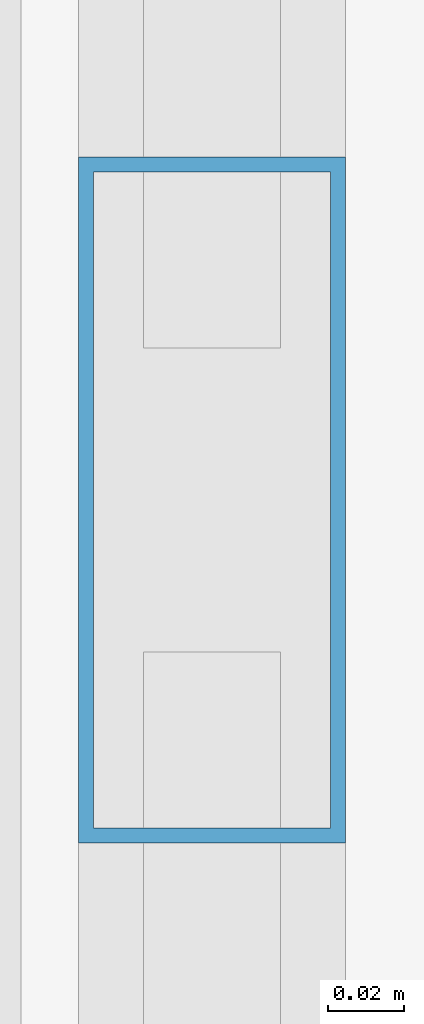
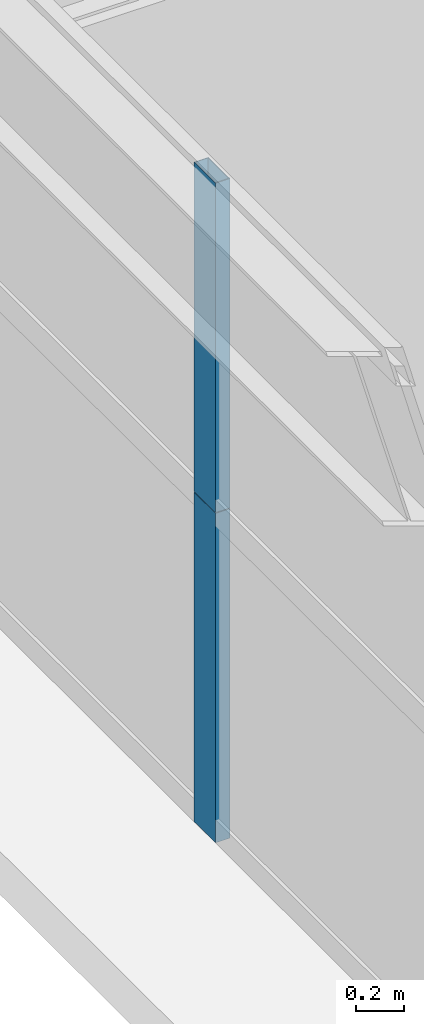
# One storey, part 8 of 39: 2 members, 1 element without a shape of its own.
"""IFC4 building model written with IfcOpenShell, lengths in metres."""

from ifc_helpers import new_model, si_unit, direction, frame, origin, origin_2d, place, context, subcontext, project, spatial, hollow_rectangle, extrude, source, transform, mapped, material, layer, layer_set, material_profile, profile_set, type_object, element, aggregate, save


model = new_model("IFC4")

# Units and contexts
model_context = context("Model", 3, precision=1e-05, world=origin(), true_north=direction((0.0, 1.0)))
body_context = subcontext(model_context, "Body", "Model", "MODEL_VIEW")
ifc_project = project(units=[si_unit("LENGTHUNIT", "METRE"), si_unit("AREAUNIT", "SQUARE_METRE"), si_unit("VOLUMEUNIT", "CUBIC_METRE"), si_unit("PLANEANGLEUNIT", "RADIAN"), si_unit("MASSUNIT", "GRAM", prefix="KILO"), si_unit("THERMODYNAMICTEMPERATUREUNIT", "KELVIN"), si_unit("POWERUNIT", "WATT")], contexts=[model_context])

# Site, building, storey
site_placement = place(None, origin())
site = spatial("IfcSite", under=ifc_project, at=site_placement, CompositionType="ELEMENT")
building_placement = place(site_placement, origin())
building = spatial("IfcBuilding", under=site, at=building_placement, Name="Yuzanri Waterfront Tower", CompositionType="ELEMENT")
storey_placement = place(building_placement, frame((0.0, 0.0, 141.60009765625)))
storey = spatial("IfcBuildingStorey", under=building, at=storey_placement, Name="L37", CompositionType="ELEMENT", Elevation=141.60009765625)

# Curtain wall, members
ifc_material_1 = material(Name="Anodized Architectural Bronze", Category="metal")
ifc_layer = layer(ifc_material_1, 0.159912109375)
ifc_layer_set = layer_set([ifc_layer], Name="Anodized Architectural Bronze")
curtain_wall_type = type_object("IfcCurtainWallType", Name="Anodized Bronze Hotel Upper-Tier Solar-Control Unitized Curtain Wall 7800", PredefinedType="NOTDEFINED", material=ifc_layer_set)
curtain_wall_placement = place(storey_placement, origin())
curtain_wall = element("IfcCurtainWall", 1, at=curtain_wall_placement, inside=storey, type_object=curtain_wall_type, Name="L37 Curtain Wall CW-L37-WL", PredefinedType="NOTDEFINED")
ifc_material_2 = material(Name="Anodized Architectural Bronze", Category="metal")
ifc_material_profile = material_profile(ifc_material_2, hollow_rectangle(XDim=0.070068359375, YDim=0.179931640625, WallThickness=0.00390625, at=origin_2d()), Name="CWM 70x180")
ifc_profile_set = profile_set([ifc_material_profile], Name="Anodized Architectural Bronze")
member_type = type_object("IfcMemberType", Name="Anodized Bronze Standard Curtain-Wall Mullion 70x180", PredefinedType="MULLION", material=ifc_profile_set)
shared_shape = source(origin(), body_context, "Body", "SweptSolid", [
    extrude(hollow_rectangle(XDim=0.070068359375, YDim=0.179931640625, WallThickness=0.00390625, at=origin_2d()), origin(), (0.0, 0.0, 1.0), 1.68798828125),
])
member_1_placement = place(storey_placement, frame((13.550048828125, 17.449951171875, 0.0), z_axis=(0.0, 0.0, 1.0), x_axis=(1.0, 0.0, 0.0)))
member_1 = element("IfcMember", 2, at=member_1_placement, type_object=member_type, Name="CW-L37-WL Lower Mullion 01", PredefinedType="MULLION", context=body_context, shape_type="MappedRepresentation", body=[
    mapped(shared_shape, transform((0.0, 0.0, 0.0), scale=1.0)),
])
member_2_placement = place(storey_placement, frame((13.550048828125, 17.449951171875, 1.69189453125), z_axis=(0.0, 0.0, 1.0), x_axis=(1.0, 0.0, 0.0)))
member_2 = element("IfcMember", 3, at=member_2_placement, type_object=member_type, Name="CW-L37-WL Upper Mullion 01", PredefinedType="MULLION", context=body_context, shape_type="MappedRepresentation", body=[
    mapped(shared_shape, transform((0.0, 0.0, 0.0), scale=1.0)),
])
aggregate(curtain_wall, [member_1, member_2])

save(model, "model.ifc")
